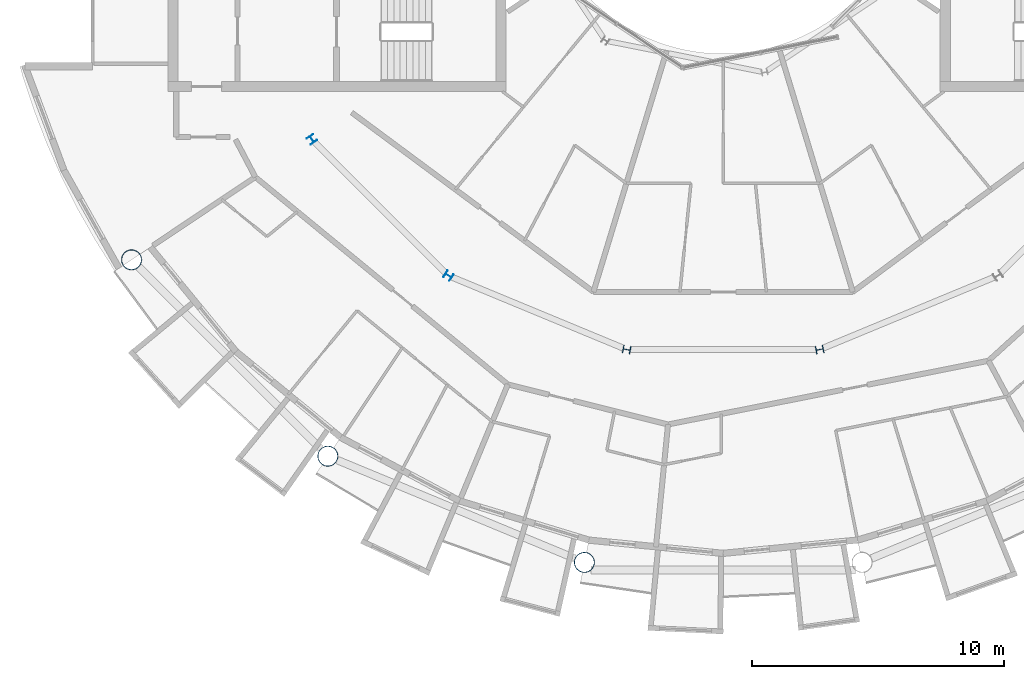
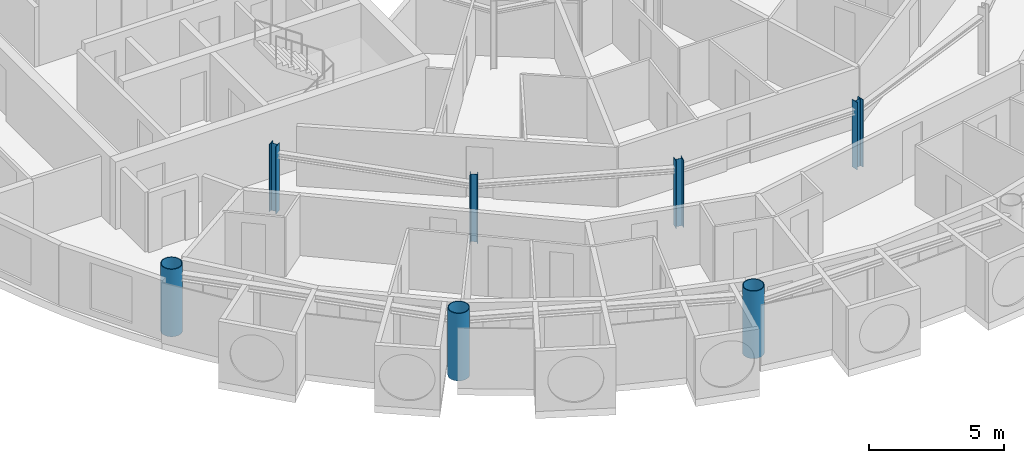
# One storey, part 1 of 28: 7 columns.
"""IFC4 building model written with IfcOpenShell, lengths in metres."""

from ifc_helpers import new_model, si_unit, direction, frame, origin, origin_2d, place, context, subcontext, project, spatial, hollow_circle, i_section, extrude, material, material_profile, profile_set, type_object, element, save


model = new_model("IFC4")

# Units and contexts
model_context = context("Model", 3, precision=1e-05, world=origin(), true_north=direction((0.0, 1.0)))
body_context = subcontext(model_context, "Body", "Model", "MODEL_VIEW")
ifc_project = project(units=[si_unit("LENGTHUNIT", "METRE"), si_unit("AREAUNIT", "SQUARE_METRE"), si_unit("VOLUMEUNIT", "CUBIC_METRE"), si_unit("PLANEANGLEUNIT", "RADIAN"), si_unit("MASSUNIT", "GRAM", prefix="KILO")], contexts=[model_context])

# Site, building, storey
site_placement = place(None, origin())
site = spatial("IfcSite", under=ifc_project, at=site_placement, CompositionType="ELEMENT")
building_placement = place(site_placement, origin())
building = spatial("IfcBuilding", under=site, at=building_placement, Name="Maasbend Ring Residences", CompositionType="ELEMENT")
storey_placement = place(building_placement, frame((0.0, 0.0, 227.949951171875)))
storey = spatial("IfcBuildingStorey", under=building, at=storey_placement, Name="L65", CompositionType="ELEMENT", Elevation=227.949951171875)

# Columns
ifc_material_1 = material(Name="Composite concrete-filled steel tube S460NH / C80/95", Category="concrete")
ifc_material_profile_1 = material_profile(ifc_material_1, hollow_circle(Radius=0.406494140625, WallThickness=0.030029296875, at=origin_2d()), Name="Composite tube column CHS 813x30")
ifc_profile_set_1 = profile_set([ifc_material_profile_1], Name="Composite concrete-filled steel tube S460NH / C80/95")
column_type_1 = type_object("IfcColumnType", Name="Composite tube column CHS 813x30", PredefinedType="COLUMN", material=ifc_profile_set_1)
for number, where, z_axis, x_axis, name in (
    (1, (-23.447509765625, -15.6669921875, 0.0), (0.0, 0.0, 1.0), (1.0, 0.0, 0.0), "Outer column R10"),
    (2, (-15.6669921875, -23.447509765625, 0.0), (0.0, 0.0, 1.0), (1.0, 0.0, 0.0), "Outer column R11"),
    (3, (-5.50146484375, -27.658203125, 0.0), (0.0, 0.0, 1.0), (1.0, 0.0, 0.0), "Outer column R12"),
):
    element("IfcColumn", number, at=place(storey_placement, frame(where, z_axis=z_axis, x_axis=x_axis)), inside=storey, type_object=column_type_1, Name=name, PredefinedType="COLUMN", context=body_context, shape_type="SweptSolid", body=[
        extrude(hollow_circle(Radius=0.406494140625, WallThickness=0.030029296875, at=origin_2d()), origin(), (0.0, 0.0, 1.0), 3.050048828125),
    ])
ifc_material_2 = material(Name="Steel S355J2", Category="steel")
ifc_material_profile_2 = material_profile(ifc_material_2, i_section(OverallWidth=0.300048828125, OverallDepth=0.300048828125, WebThickness=0.010986328125, FlangeThickness=0.01904296875, FilletRadius=0.027099609375, at=origin_2d()), Name="HEB 300")
ifc_profile_set_2 = profile_set([ifc_material_profile_2], Name="Steel S355J2")
column_type_2 = type_object("IfcColumnType", Name="Steel column HEB 300", PredefinedType="COLUMN", material=ifc_profile_set_2)
for number, where, z_axis, x_axis, name in (
    (4, (-16.296875, -10.88916015625, 0.0), (0.0, 0.0, 1.0), (-0.831469612303, -0.55557023302, 0.0), "Corridor ring column R10"),
    (5, (-10.88916015625, -16.296875, 0.0), (0.0, 0.0, 1.0), (-0.55557023302, -0.831469612303, 0.0), "Corridor ring column R11"),
    (6, (-3.82373046875, -19.223388671875, 0.0), (0.0, 0.0, 1.0), (-0.195090322016, -0.980785280403, 0.0), "Corridor ring column R12"),
    (7, (3.82373046875, -19.223388671875, 0.0), (0.0, 0.0, 1.0), (0.195090322016, -0.980785280403, 0.0), "Corridor ring column R13"),
):
    element("IfcColumn", number, at=place(storey_placement, frame(where, z_axis=z_axis, x_axis=x_axis)), inside=storey, type_object=column_type_2, Name=name, PredefinedType="COLUMN", context=body_context, shape_type="SweptSolid", body=[
        extrude(i_section(OverallWidth=0.300048828125, OverallDepth=0.300048828125, WebThickness=0.010986328125, FlangeThickness=0.01904296875, FilletRadius=0.027099609375, at=origin_2d()), origin(), (0.0, 0.0, 1.0), 3.050048828125),
    ])

save(model, "model.ifc")
